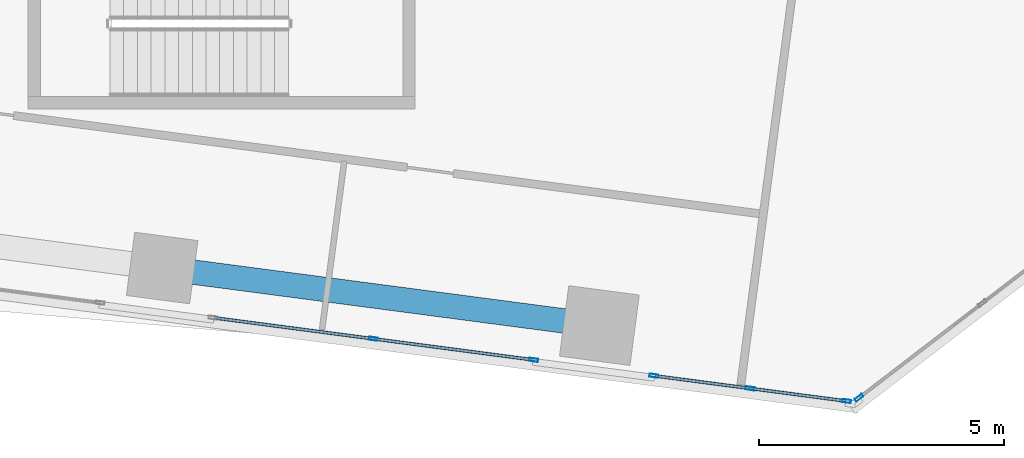
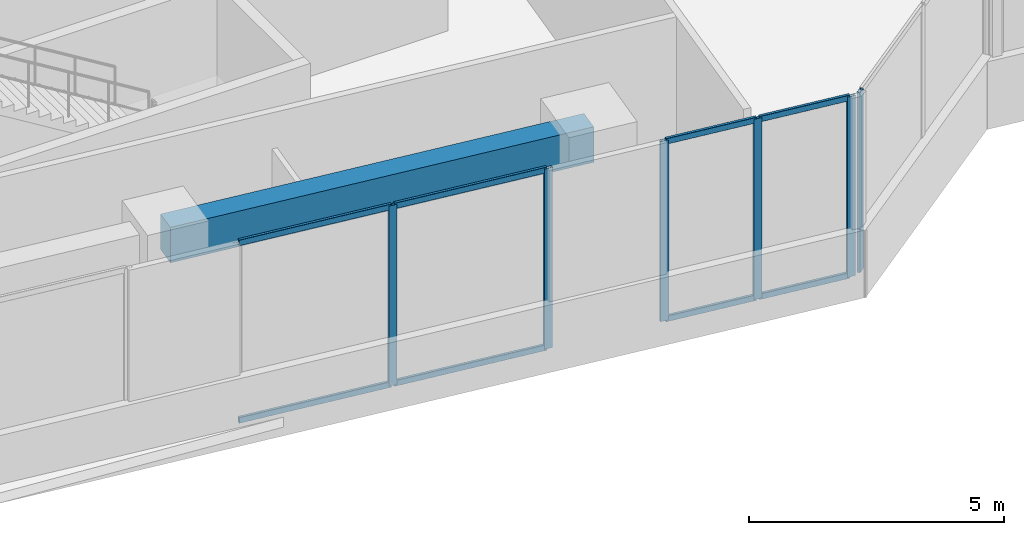
# One storey, part 5 of 24: 14 members, 1 beam, 3 elements without a shape of their own.
"""IFC4 building model written with IfcOpenShell, lengths in metres."""

from ifc_helpers import new_model, si_unit, direction, frame, origin, origin_2d, place, context, subcontext, project, spatial, rectangle, hollow_rectangle, extrude, source, transform, mapped, material, material_profile, profile_set, type_object, element, aggregate, save


model = new_model("IFC4")

# Units and contexts
model_context = context("Model", 3, precision=1e-05, world=origin(), true_north=direction((0.0, 1.0)))
body_context = subcontext(model_context, "Body", "Model", "MODEL_VIEW")
ifc_project = project(units=[si_unit("LENGTHUNIT", "METRE"), si_unit("AREAUNIT", "SQUARE_METRE"), si_unit("VOLUMEUNIT", "CUBIC_METRE"), si_unit("PLANEANGLEUNIT", "RADIAN"), si_unit("MASSUNIT", "GRAM", prefix="KILO")], contexts=[model_context])

# Site, building, storey
site_placement = place(None, origin())
site = spatial("IfcSite", under=ifc_project, at=site_placement, CompositionType="ELEMENT")
building_placement = place(site_placement, origin())
building = spatial("IfcBuilding", under=site, at=building_placement, Name="Torre Montelarca", CompositionType="ELEMENT")
storey_placement = place(building_placement, frame((0.0, 0.0, 61.60009765625)))
storey = spatial("IfcBuildingStorey", under=building, at=storey_placement, Name="L13", CompositionType="ELEMENT", Elevation=61.60009765625)

# Beam
ifc_material_1 = material(Name="Concrete C55/67", Category="concrete")
ifc_material_profile_1 = material_profile(ifc_material_1, rectangle(XDim=0.5, YDim=0.85009765625, at=origin_2d()), Name="RCB500X850", Category="concrete")
ifc_profile_set_1 = profile_set([ifc_material_profile_1], Name="Concrete C55/67")
beam_type = type_object("IfcBeamType", Name="BM-SP-RC850-EXT", PredefinedType="SPANDREL", material=ifc_profile_set_1)
shared_shape_1 = source(origin(), body_context, "Body", "SweptSolid", [
    extrude(rectangle(XDim=0.5, YDim=0.85009765625, at=origin_2d()), origin(), (0.0, 0.0, 1.0), 9.0),
])
beam_placement = place(storey_placement, frame((15.784912109375, 15.404052734375, 4.135009765625), z_axis=(0.991444043898, -0.130532401413, 0.0), x_axis=(0.130532401413, 0.991444043898, 0.0)))
element("IfcBeam", 1, at=beam_placement, inside=storey, type_object=beam_type, Name="L13 Grid Girder X 18.0-27.0 at Y=14.8", PredefinedType="SPANDREL", context=body_context, shape_type="MappedRepresentation", body=[
    mapped(shared_shape_1, transform((0.0, 0.0, 0.0), scale=1.0)),
])

# Curtain wall, members
ifc_material_2 = material(Name="Insulated low-E laminated glass", Category="glass")
curtain_wall_type = type_object("IfcCurtainWallType", Name="CW-SYS-Z1", PredefinedType="USERDEFINED", material=ifc_material_2)
curtain_wall_1_placement = place(storey_placement, origin())
curtain_wall_1 = element("IfcCurtainWall", 2, at=curtain_wall_1_placement, inside=storey, type_object=curtain_wall_type, Name="L13 Curtain Wall Run CW-T3-L13-E01-B3", ObjectType="UNITISED GLAZING", PredefinedType="USERDEFINED")
ifc_material_3 = material(Name="Anodised aluminium AA 6063-T6", Category="aluminium")
ifc_material_profile_2 = material_profile(ifc_material_3, hollow_rectangle(XDim=0.06494140625, YDim=0.139892578125, WallThickness=0.00390625, InnerFilletRadius=0.00390625, OuterFilletRadius=0.008056640625, at=origin_2d()), Name="ALU65X140X4", Category="aluminium")
ifc_profile_set_2 = profile_set([ifc_material_profile_2], Name="Anodised aluminium AA 6063-T6")
member_type_1 = type_object("IfcMemberType", Name="CWT-ALU140", PredefinedType="USERDEFINED", material=ifc_profile_set_2)
shared_shape_2 = source(origin(), body_context, "Body", "SweptSolid", [
    extrude(hollow_rectangle(XDim=0.06494140625, YDim=0.139892578125, WallThickness=0.00390625, InnerFilletRadius=0.00390625, OuterFilletRadius=0.008056640625, at=origin_2d()), origin(), (0.0, 0.0, 1.0), 1.9169921875),
])
member_1_placement = place(storey_placement, frame((25.853515625, 13.200927734375, 0.032470703125), z_axis=(0.991443455409, -0.130536871136, 0.0), x_axis=(0.130536871136, 0.991443455409, 0.0)))
member_1 = element("IfcMember", 3, at=member_1_placement, type_object=member_type_1, Name="CW transom 1.1", ObjectType="TRANSOM", PredefinedType="USERDEFINED", context=body_context, shape_type="MappedRepresentation", body=[
    mapped(shared_shape_2, transform((0.0, 0.0, 0.0), scale=1.0)),
])
member_2_placement = place(storey_placement, frame((25.853515625, 13.200927734375, 4.287353515625), z_axis=(0.991443455409, -0.130536871136, 0.0), x_axis=(0.130536871136, 0.991443455409, 0.0)))
member_2 = element("IfcMember", 4, at=member_2_placement, type_object=member_type_1, Name="CW transom 1.2", ObjectType="TRANSOM", PredefinedType="USERDEFINED", context=body_context, shape_type="MappedRepresentation", body=[
    mapped(shared_shape_2, transform((0.0, 0.0, 0.0), scale=1.0)),
])
member_3_placement = place(storey_placement, frame((27.818603515625, 12.9423828125, 0.032470703125), z_axis=(0.991443455409, -0.130536871136, 0.0), x_axis=(0.130536871136, 0.991443455409, 0.0)))
member_3 = element("IfcMember", 5, at=member_3_placement, type_object=member_type_1, Name="CW transom 2.1", ObjectType="TRANSOM", PredefinedType="USERDEFINED", context=body_context, shape_type="MappedRepresentation", body=[
    mapped(shared_shape_2, transform((0.0, 0.0, 0.0), scale=1.0)),
])
member_4_placement = place(storey_placement, frame((27.818603515625, 12.9423828125, 4.287353515625), z_axis=(0.991443455409, -0.130536871136, 0.0), x_axis=(0.130536871136, 0.991443455409, 0.0)))
member_4 = element("IfcMember", 6, at=member_4_placement, type_object=member_type_1, Name="CW transom 2.2", ObjectType="TRANSOM", PredefinedType="USERDEFINED", context=body_context, shape_type="MappedRepresentation", body=[
    mapped(shared_shape_2, transform((0.0, 0.0, 0.0), scale=1.0)),
])

curtain_wall_2_placement = place(storey_placement, origin())
curtain_wall_2 = element("IfcCurtainWall", 7, at=curtain_wall_2_placement, inside=storey, type_object=curtain_wall_type, Name="L13 Curtain Wall Run CW-T3-L13-E01-B2", ObjectType="UNITISED GLAZING", PredefinedType="USERDEFINED")
ifc_material_profile_3 = material_profile(ifc_material_3, hollow_rectangle(XDim=0.06494140625, YDim=0.179931640625, WallThickness=0.00390625, InnerFilletRadius=0.00390625, OuterFilletRadius=0.008056640625, at=origin_2d()), Name="ALU65X180X4", Category="aluminium")
ifc_profile_set_3 = profile_set([ifc_material_profile_3], Name="Anodised aluminium AA 6063-T6")
member_type_2 = type_object("IfcMemberType", Name="CWM-ALU180", PredefinedType="MULLION", material=ifc_profile_set_3)
shared_shape_3 = source(origin(), body_context, "Body", "SweptSolid", [
    extrude(hollow_rectangle(XDim=0.06494140625, YDim=0.179931640625, WallThickness=0.00390625, InnerFilletRadius=0.00390625, OuterFilletRadius=0.008056640625, at=origin_2d()), origin(), (0.0, 0.0, 1.0), 4.31982421875),
])
member_5_placement = place(storey_placement, frame((20.095703125, 13.958984375, 0.0), z_axis=(0.0, 0.0, 1.0), x_axis=(0.130517387, 0.991446020563, 0.0)))
member_5 = element("IfcMember", 8, at=member_5_placement, type_object=member_type_2, Name="CW mullion 2", PredefinedType="MULLION", context=body_context, shape_type="MappedRepresentation", body=[
    mapped(shared_shape_3, transform((0.0, 0.0, 0.0), scale=1.0)),
])
member_6_placement = place(storey_placement, frame((23.367431640625, 13.5283203125, 0.0), z_axis=(0.0, 0.0, 1.0), x_axis=(0.130517387, 0.991446020563, 0.0)))
member_6 = element("IfcMember", 9, at=member_6_placement, type_object=member_type_2, Name="CW mullion 3", PredefinedType="MULLION", context=body_context, shape_type="MappedRepresentation", body=[
    mapped(shared_shape_3, transform((0.0, 0.0, 0.0), scale=1.0)),
])

# Member
member_7_placement = place(storey_placement, frame((25.8212890625, 13.205322265625, 0.0), z_axis=(0.0, 0.0, 1.0), x_axis=(0.13051999639, 0.991445677051, 0.0)))
member_7 = element("IfcMember", 10, at=member_7_placement, type_object=member_type_2, Name="CW mullion 1", PredefinedType="MULLION", context=body_context, shape_type="MappedRepresentation", body=[
    mapped(shared_shape_3, transform((0.0, 0.0, 0.0), scale=1.0)),
])

member_8_placement = place(storey_placement, frame((27.786376953125, 12.946533203125, 0.0), z_axis=(0.0, 0.0, 1.0), x_axis=(0.13051999639, 0.991445677051, 0.0)))
member_8 = element("IfcMember", 11, at=member_8_placement, type_object=member_type_2, Name="CW mullion 2", PredefinedType="MULLION", context=body_context, shape_type="MappedRepresentation", body=[
    mapped(shared_shape_3, transform((0.0, 0.0, 0.0), scale=1.0)),
])

member_9_placement = place(storey_placement, frame((29.75146484375, 12.687744140625, 0.0), z_axis=(0.0, 0.0, 1.0), x_axis=(0.13051999639, 0.991445677051, 0.0)))
member_9 = element("IfcMember", 12, at=member_9_placement, type_object=member_type_2, Name="CW mullion 3", PredefinedType="MULLION", context=body_context, shape_type="MappedRepresentation", body=[
    mapped(shared_shape_3, transform((0.0, 0.0, 0.0), scale=1.0)),
])

aggregate(curtain_wall_1, [member_7, member_8, member_9, member_1, member_2, member_3, member_4])

# Curtain wall, member
curtain_wall_3_placement = place(storey_placement, origin())
curtain_wall_3 = element("IfcCurtainWall", 13, at=curtain_wall_3_placement, inside=storey, type_object=curtain_wall_type, Name="L13 Curtain Wall Run CW-T3-L13-E02-B1", ObjectType="UNITISED GLAZING", PredefinedType="USERDEFINED")
member_10_placement = place(storey_placement, frame((30.00927734375, 12.7568359375, 0.0), z_axis=(0.0, 0.0, 1.0), x_axis=(-0.608756578814, 0.793357061953, 0.0)))
member_10 = element("IfcMember", 14, at=member_10_placement, type_object=member_type_2, Name="CW mullion 1", PredefinedType="MULLION", context=body_context, shape_type="MappedRepresentation", body=[
    mapped(shared_shape_3, transform((0.0, 0.0, 0.0), scale=1.0)),
])
aggregate(curtain_wall_3, [member_10])

# Member
shared_shape_4 = source(origin(), body_context, "Body", "SweptSolid", [
    extrude(hollow_rectangle(XDim=0.06494140625, YDim=0.139892578125, WallThickness=0.00390625, InnerFilletRadius=0.00390625, OuterFilletRadius=0.008056640625, at=origin_2d()), origin(), (0.0, 0.0, 1.0), 3.23486328125),
])
member_11_placement = place(storey_placement, frame((16.856201171875, 14.385498046875, 0.032470703125), z_axis=(0.991440161711, -0.130561884735, 0.0), x_axis=(0.130561884735, 0.991440161711, 0.0)))
member_11 = element("IfcMember", 15, at=member_11_placement, type_object=member_type_1, Name="CW transom 1.1", ObjectType="TRANSOM", PredefinedType="USERDEFINED", context=body_context, shape_type="MappedRepresentation", body=[
    mapped(shared_shape_4, transform((0.0, 0.0, 0.0), scale=1.0)),
])

member_12_placement = place(storey_placement, frame((16.856201171875, 14.385498046875, 4.287353515625), z_axis=(0.991440161711, -0.130561884735, 0.0), x_axis=(0.130561884735, 0.991440161711, 0.0)))
member_12 = element("IfcMember", 16, at=member_12_placement, type_object=member_type_1, Name="CW transom 1.2", ObjectType="TRANSOM", PredefinedType="USERDEFINED", context=body_context, shape_type="MappedRepresentation", body=[
    mapped(shared_shape_4, transform((0.0, 0.0, 0.0), scale=1.0)),
])

member_13_placement = place(storey_placement, frame((20.1279296875, 13.95458984375, 0.032470703125), z_axis=(0.991449928102, -0.130487700821, 0.0), x_axis=(0.130487700821, 0.991449928102, 0.0)))
member_13 = element("IfcMember", 17, at=member_13_placement, type_object=member_type_1, Name="CW transom 2.1", ObjectType="TRANSOM", PredefinedType="USERDEFINED", context=body_context, shape_type="MappedRepresentation", body=[
    mapped(shared_shape_4, transform((0.0, 0.0, 0.0), scale=1.0)),
])

member_14_placement = place(storey_placement, frame((20.1279296875, 13.95458984375, 4.287353515625), z_axis=(0.991449928102, -0.130487700821, 0.0), x_axis=(0.130487700821, 0.991449928102, 0.0)))
member_14 = element("IfcMember", 18, at=member_14_placement, type_object=member_type_1, Name="CW transom 2.2", ObjectType="TRANSOM", PredefinedType="USERDEFINED", context=body_context, shape_type="MappedRepresentation", body=[
    mapped(shared_shape_4, transform((0.0, 0.0, 0.0), scale=1.0)),
])

aggregate(curtain_wall_2, [member_5, member_6, member_11, member_12, member_13, member_14])

save(model, "model.ifc")
